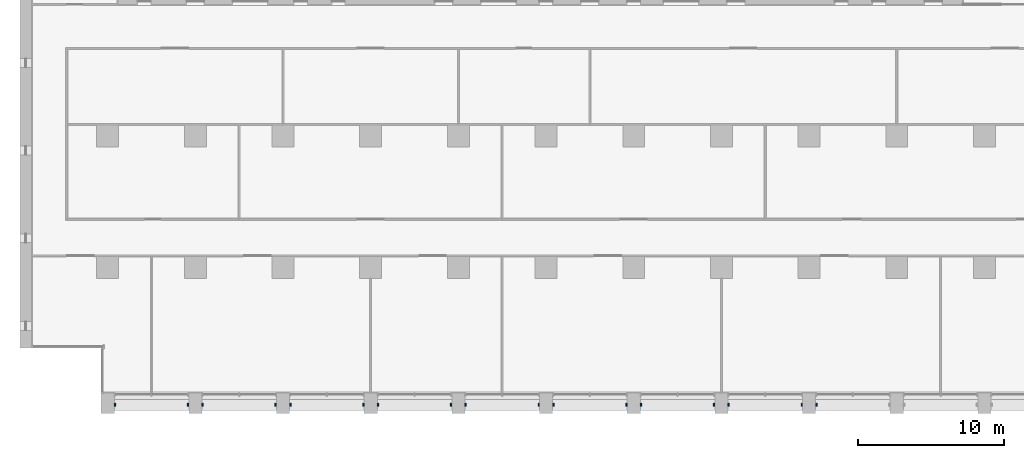
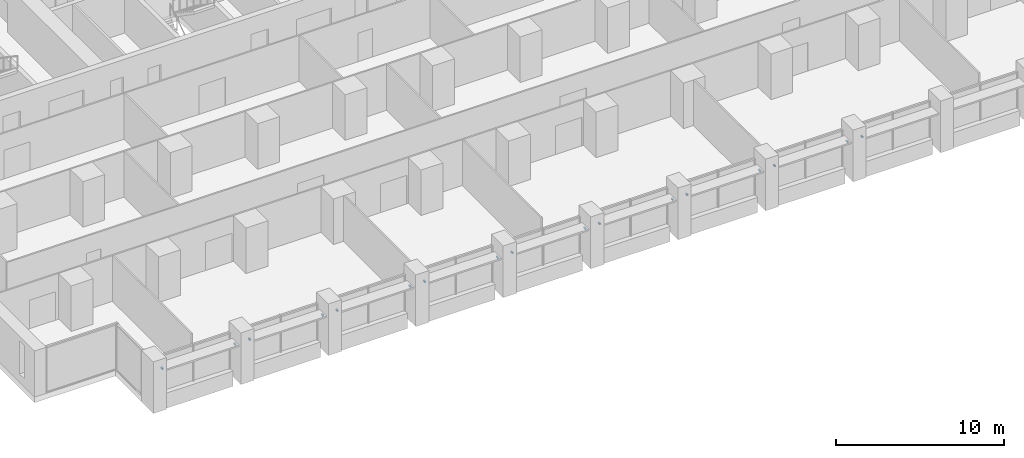
# One storey, part 15 of 18: 17 discrete accessories.
"""IFC4 building model written with IfcOpenShell, lengths in metres."""

from ifc_helpers import new_model, si_unit, direction, frame, origin, origin_2d, place, context, subcontext, project, spatial, rectangle, extrude, element, save


model = new_model("IFC4")

# Units and contexts
model_context = context("Model", 3, precision=1e-05, world=origin(), true_north=direction((0.0, 1.0)))
body_context = subcontext(model_context, "Body", "Model", "MODEL_VIEW")
ifc_project = project(units=[si_unit("LENGTHUNIT", "METRE"), si_unit("AREAUNIT", "SQUARE_METRE"), si_unit("VOLUMEUNIT", "CUBIC_METRE"), si_unit("PLANEANGLEUNIT", "RADIAN"), si_unit("MASSUNIT", "GRAM", prefix="KILO")], contexts=[model_context])

# Site, building, storey
site_placement = place(None, origin())
site = spatial("IfcSite", under=ifc_project, at=site_placement, CompositionType="ELEMENT")
building_placement = place(site_placement, origin())
building = spatial("IfcBuilding", under=site, at=building_placement, Name="Calvaro Tower", CompositionType="ELEMENT")
storey_placement = place(building_placement, frame((0.0, 0.0, 78.75)))
storey = spatial("IfcBuildingStorey", under=building, at=storey_placement, Name="L19", CompositionType="ELEMENT", Elevation=78.75)

# Discrete accessories
for number, where, z_axis, x_axis, name in (
    (1, (6.5, 0.60009765625, 2.14990234375), (0.0, 0.0, 1.0), (1.0, 0.0, 0.0), "Brise-soleil bracket"),
    (2, (11.5, 0.60009765625, 2.14990234375), (0.0, 0.0, 1.0), (1.0, 0.0, 0.0), "Brise-soleil bracket"),
    (3, (12.5, 0.60009765625, 2.14990234375), (0.0, 0.0, 1.0), (1.0, 0.0, 0.0), "Brise-soleil bracket"),
    (4, (17.5, 0.60009765625, 2.14990234375), (0.0, 0.0, 1.0), (1.0, 0.0, 0.0), "Brise-soleil bracket"),
    (5, (18.5, 0.60009765625, 2.14990234375), (0.0, 0.0, 1.0), (1.0, 0.0, 0.0), "Brise-soleil bracket"),
    (6, (23.5, 0.60009765625, 2.14990234375), (0.0, 0.0, 1.0), (1.0, 0.0, 0.0), "Brise-soleil bracket"),
    (7, (24.5, 0.60009765625, 2.14990234375), (0.0, 0.0, 1.0), (1.0, 0.0, 0.0), "Brise-soleil bracket"),
    (8, (29.5, 0.60009765625, 2.14990234375), (0.0, 0.0, 1.0), (1.0, 0.0, 0.0), "Brise-soleil bracket"),
    (9, (30.5, 0.60009765625, 2.14990234375), (0.0, 0.0, 1.0), (1.0, 0.0, 0.0), "Brise-soleil bracket"),
    (10, (35.5, 0.60009765625, 2.14990234375), (0.0, 0.0, 1.0), (1.0, 0.0, 0.0), "Brise-soleil bracket"),
    (11, (36.5, 0.60009765625, 2.14990234375), (0.0, 0.0, 1.0), (1.0, 0.0, 0.0), "Brise-soleil bracket"),
    (12, (41.5, 0.60009765625, 2.14990234375), (0.0, 0.0, 1.0), (1.0, 0.0, 0.0), "Brise-soleil bracket"),
    (13, (42.5, 0.60009765625, 2.14990234375), (0.0, 0.0, 1.0), (1.0, 0.0, 0.0), "Brise-soleil bracket"),
    (14, (47.5, 0.60009765625, 2.14990234375), (0.0, 0.0, 1.0), (1.0, 0.0, 0.0), "Brise-soleil bracket"),
    (15, (48.5, 0.60009765625, 2.14990234375), (0.0, 0.0, 1.0), (1.0, 0.0, 0.0), "Brise-soleil bracket"),
    (16, (53.5, 0.60009765625, 2.14990234375), (0.0, 0.0, 1.0), (1.0, 0.0, 0.0), "Brise-soleil bracket"),
    (17, (54.5, 0.60009765625, 2.14990234375), (0.0, 0.0, 1.0), (1.0, 0.0, 0.0), "Brise-soleil bracket"),
):
    element("IfcDiscreteAccessory", number, at=place(storey_placement, frame(where, z_axis=z_axis, x_axis=x_axis)), inside=storey, Name=name, PredefinedType="BRACKET", context=body_context, shape_type="SweptSolid", body=[
        extrude(rectangle(XDim=0.10009765625, YDim=0.199951171875, at=origin_2d()), origin(), (0.0, 0.0, 1.0), 0.10009765625),
    ])

save(model, "model.ifc")
